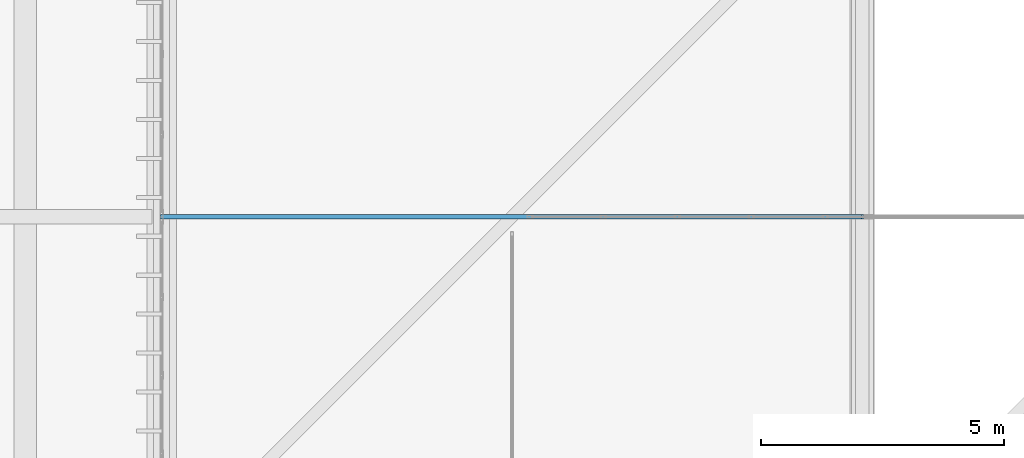
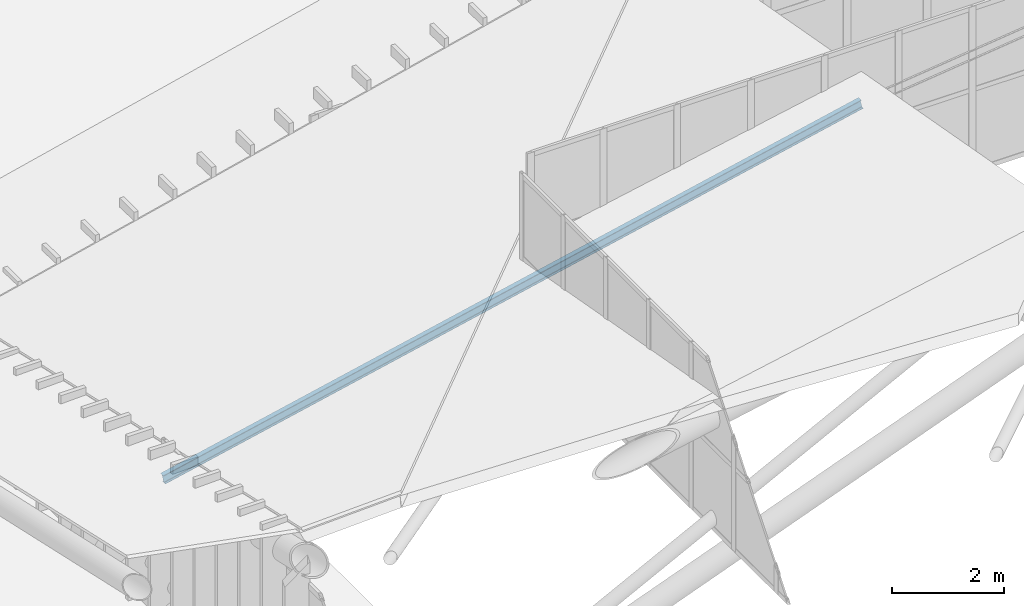
# One storey, part 223 of 397: 1 member.
"""IFC4 building model written with IfcOpenShell, lengths in metres."""

from ifc_helpers import new_model, si_unit, direction, frame, origin, origin_2d, place, context, subcontext, project, spatial, i_section, extrude, material, material_profile, profile_set, type_object, element, save


model = new_model("IFC4")

# Units and contexts
model_context = context("Model", 3, precision=1e-05, world=origin(), true_north=direction((0.0, 1.0)))
body_context = subcontext(model_context, "Body", "Model", "MODEL_VIEW")
ifc_project = project(units=[si_unit("LENGTHUNIT", "METRE"), si_unit("AREAUNIT", "SQUARE_METRE"), si_unit("VOLUMEUNIT", "CUBIC_METRE"), si_unit("PLANEANGLEUNIT", "RADIAN"), si_unit("MASSUNIT", "GRAM", prefix="KILO")], contexts=[model_context])

# Site, building, storey
site_placement = place(None, origin())
site = spatial("IfcSite", under=ifc_project, at=site_placement, CompositionType="ELEMENT")
building_placement = place(site_placement, origin())
building = spatial("IfcBuilding", under=site, at=building_placement, Name="Qandorah Velis Arena", CompositionType="ELEMENT")
storey_placement = place(building_placement, frame((0.0, 0.0, 27.5)))
storey = spatial("IfcBuildingStorey", under=building, at=storey_placement, Name="RF", CompositionType="ELEMENT", Elevation=27.5)

# Member
ifc_material = material(Name="Steel S355", Category="steel")
ifc_material_profile = material_profile(ifc_material, i_section(OverallWidth=0.10009765625, OverallDepth=0.199951171875, WebThickness=0.005615234375, FlangeThickness=0.008544921875, FilletRadius=0.011962890625, at=origin_2d()), Name="IPE 200")
ifc_profile_set = profile_set([ifc_material_profile], Name="Steel S355")
member_type = type_object("IfcMemberType", Name="STR-PRL-IPE200", PredefinedType="PURLIN", material=ifc_profile_set)
member_placement = place(storey_placement, frame((14.39990234375, 108.0, 2.7841796875), z_axis=(0.976836120883, 0.0, 0.213988768254), x_axis=(0.0, 1.0, 0.0)))
element("IfcMember", 1, at=member_placement, inside=storey, type_object=member_type, Name="Arena roof purlin PRL-0.6", PredefinedType="PURLIN", context=body_context, shape_type="SweptSolid", body=[
    extrude(i_section(OverallWidth=0.10009765625, OverallDepth=0.199951171875, WebThickness=0.005615234375, FlangeThickness=0.008544921875, FilletRadius=0.011962890625, at=origin_2d()), origin(), (0.0, 0.0, 1.0), 14.74169921875),
])

save(model, "model.ifc")
